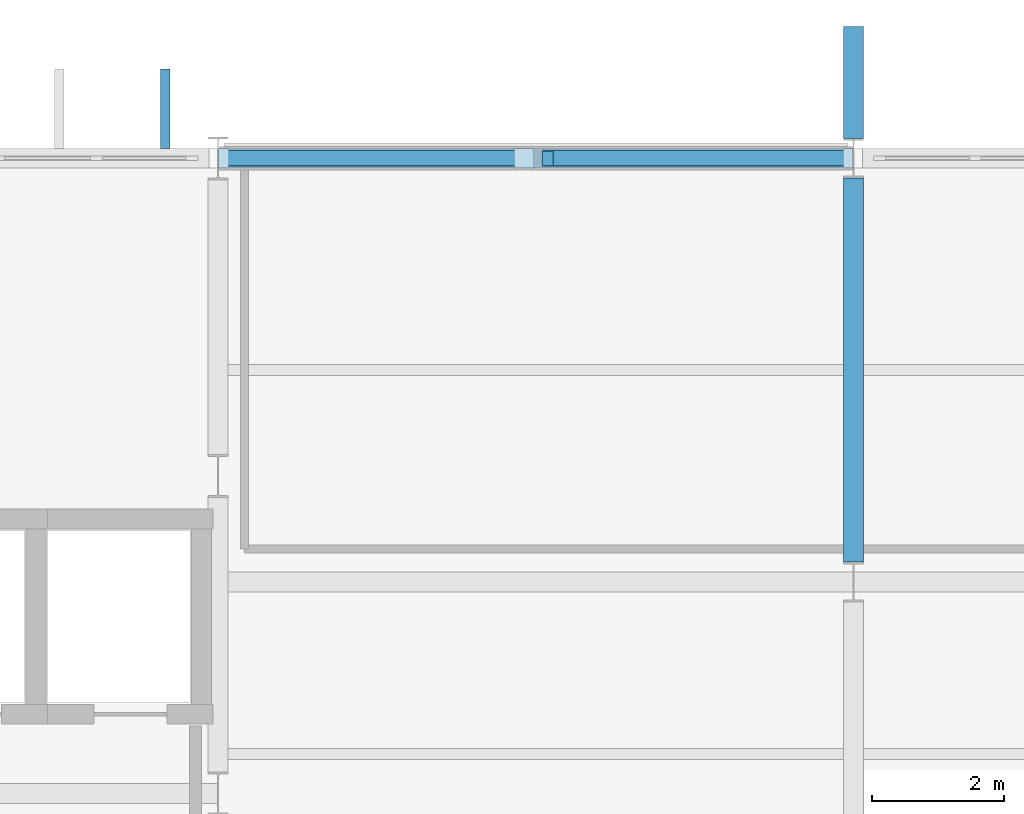
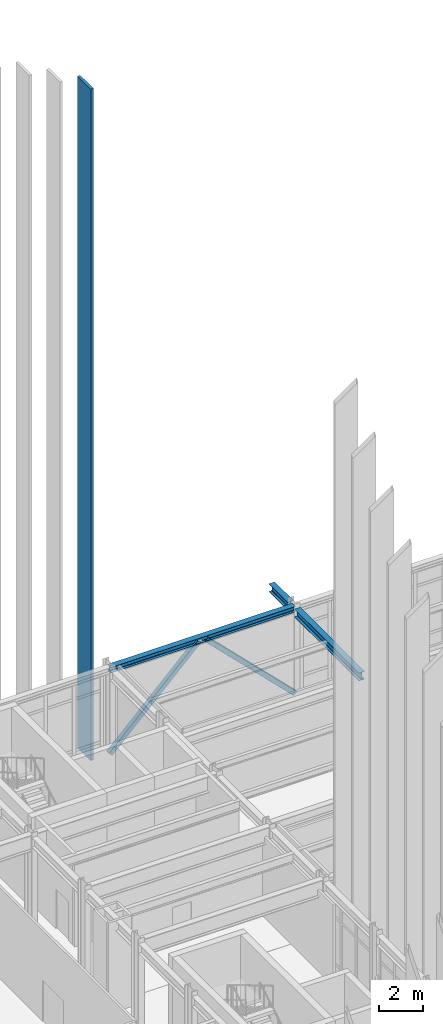
# One storey, part 56 of 109: 3 beams, 3 members.
"""IFC4 building model written with IfcOpenShell, lengths in metres."""

from ifc_helpers import new_model, si_unit, direction, frame, origin, origin_2d, place, context, subcontext, project, spatial, rectangle, hollow_rectangle, i_section, extrude, material, material_profile, profile_set, type_object, element, save


model = new_model("IFC4")

# Units and contexts
model_context = context("Model", 3, precision=1e-05, world=origin(), true_north=direction((0.0, 1.0)))
body_context = subcontext(model_context, "Body", "Model", "MODEL_VIEW")
ifc_project = project(units=[si_unit("LENGTHUNIT", "METRE"), si_unit("AREAUNIT", "SQUARE_METRE"), si_unit("VOLUMEUNIT", "CUBIC_METRE"), si_unit("PLANEANGLEUNIT", "RADIAN"), si_unit("MASSUNIT", "GRAM", prefix="KILO")], contexts=[model_context])

# Site, building, storey
site_placement = place(None, origin())
site = spatial("IfcSite", under=ifc_project, at=site_placement, CompositionType="ELEMENT")
building_placement = place(site_placement, origin())
building = spatial("IfcBuilding", under=site, at=building_placement, Name="Nordkorset Police Headquarters", CompositionType="ELEMENT")
storey_placement = place(building_placement, origin())
storey = spatial("IfcBuildingStorey", under=building, at=storey_placement, Name="L00", CompositionType="ELEMENT", Elevation=0.0)

# Members
ifc_material_1 = material(Name="Steel S355J2", Category="steel")
ifc_material_profile_1 = material_profile(ifc_material_1, hollow_rectangle(XDim=0.25, YDim=0.25, WallThickness=0.012451171875, InnerFilletRadius=0.012451171875, OuterFilletRadius=0.02490234375, at=origin_2d()), Name="SHS 250x250x12.5")
ifc_profile_set_1 = profile_set([ifc_material_profile_1], Name="Steel S355J2")
member_type_1 = type_object("IfcMemberType", Name="Brace_SHS_250x250x12.5", PredefinedType="BRACE", material=ifc_profile_set_1)
member_1_placement = place(storey_placement, frame((28.80810546875, 116.800048828125, 0.199951171875), z_axis=(0.709544088891, 0.0, 0.704661043282), x_axis=(0.0, 1.0, 0.0)))
element("IfcMember", 1, at=member_1_placement, inside=storey, type_object=member_type_1, Name="Lateral Chevron Brace BF-EXT-V2N0 L00 D1", PredefinedType="BRACE", context=body_context, shape_type="SweptSolid", body=[
    extrude(hollow_rectangle(XDim=0.25, YDim=0.25, WallThickness=0.012451171875, InnerFilletRadius=0.012451171875, OuterFilletRadius=0.02490234375, at=origin_2d()), origin(), (0.0, 0.0, 1.0), 6.499755859375),
])
member_2_placement = place(storey_placement, frame((38.392333984375, 116.800048828125, 0.199951171875), z_axis=(-0.70958138841, 0.0, 0.704623483303), x_axis=(0.0, -1.0, 0.0)))
element("IfcMember", 2, at=member_2_placement, inside=storey, type_object=member_type_1, Name="Lateral Chevron Brace BF-EXT-V2N0 L00 D2", PredefinedType="BRACE", context=body_context, shape_type="SweptSolid", body=[
    extrude(hollow_rectangle(XDim=0.25, YDim=0.25, WallThickness=0.012451171875, InnerFilletRadius=0.012451171875, OuterFilletRadius=0.02490234375, at=origin_2d()), origin(), (0.0, 0.0, 1.0), 6.5),
])

# Beams
ifc_material_2 = material(Name="Steel S355J2", Category="steel")
ifc_material_profile_2 = material_profile(ifc_material_2, i_section(OverallWidth=0.300048828125, OverallDepth=0.43994140625, WebThickness=0.011474609375, FlangeThickness=0.02099609375, FilletRadius=0.027099609375, at=origin_2d()), Name="HEA 450")
ifc_profile_set_2 = profile_set([ifc_material_profile_2], Name="Steel S355J2")
beam_type_1 = type_object("IfcBeamType", Name="Girder_HEA_450", PredefinedType="USERDEFINED", material=ifc_profile_set_2)
beam_1_placement = place(storey_placement, frame((38.39990234375, 110.699951171875, 4.780029296875), z_axis=(0.0, 1.0, 0.0), x_axis=(-1.0, 0.0, 0.0)))
element("IfcBeam", 3, at=beam_1_placement, inside=storey, type_object=beam_type_1, Name="Girder V2 L00 GY-1-2", ObjectType="GIRDER", PredefinedType="USERDEFINED", context=body_context, shape_type="SweptSolid", body=[
    extrude(i_section(OverallWidth=0.300048828125, OverallDepth=0.43994140625, WebThickness=0.011474609375, FlangeThickness=0.02099609375, FilletRadius=0.027099609375, at=origin_2d()), origin(), (0.0, 0.0, 1.0), 5.800048828125),
])
beam_2_placement = place(storey_placement, frame((38.39990234375, 117.10009765625, 4.780029296875), z_axis=(0.0, 1.0, 0.0), x_axis=(-1.0, 0.0, 0.0)))
element("IfcBeam", 4, at=beam_2_placement, inside=storey, type_object=beam_type_1, Name="Sawtooth Facade Outrigger V2 L00 38", ObjectType="GIRDER", PredefinedType="USERDEFINED", context=body_context, shape_type="SweptSolid", body=[
    extrude(i_section(OverallWidth=0.300048828125, OverallDepth=0.43994140625, WebThickness=0.011474609375, FlangeThickness=0.02099609375, FilletRadius=0.027099609375, at=origin_2d()), origin(), (0.0, 0.0, 1.0), 1.68994140625),
])

# Member
ifc_material_3 = material(Name="Glulam GL30c", Category="wood")
ifc_material_profile_3 = material_profile(ifc_material_3, rectangle(XDim=0.139892578125, YDim=1.199951171875, at=origin_2d()), Name="GL30C FIN 140x1200")
ifc_profile_set_3 = profile_set([ifc_material_profile_3], Name="Glulam GL30c")
member_type_2 = type_object("IfcMemberType", Name="Member_GlulamFin_140x1200", PredefinedType="USERDEFINED", material=ifc_profile_set_3)
member_3_placement = place(storey_placement, frame((28.0, 117.550048828125, 0.0), z_axis=(0.0, 0.0, 1.0), x_axis=(1.0, 0.0, 0.0)))
element("IfcMember", 5, at=member_3_placement, inside=storey, type_object=member_type_2, Name="Vertical Glulam Gable Fin North 077", ObjectType="VERTICAL TIMBER FIN", PredefinedType="USERDEFINED", context=body_context, shape_type="SweptSolid", body=[
    extrude(rectangle(XDim=0.139892578125, YDim=1.199951171875, at=origin_2d()), origin(), (0.0, 0.0, 1.0), 36.884521484375),
])

# Beam
ifc_material_4 = material(Name="Steel S355J2", Category="steel")
ifc_material_profile_4 = material_profile(ifc_material_4, i_section(OverallWidth=0.300048828125, OverallDepth=0.31005859375, WebThickness=0.009033203125, FlangeThickness=0.015380859375, FilletRadius=0.027099609375, at=origin_2d()), Name="HEA 320")
ifc_profile_set_4 = profile_set([ifc_material_profile_4], Name="Steel S355J2")
beam_type_2 = type_object("IfcBeamType", Name="Spandrel_HEA_320", PredefinedType="SPANDREL", material=ifc_profile_set_4)
beam_3_placement = place(storey_placement, frame((28.80810546875, 116.800048828125, 4.844970703125), z_axis=(1.0, 0.0, 0.0), x_axis=(0.0, 1.0, 0.0)))
element("IfcBeam", 6, at=beam_3_placement, inside=storey, type_object=beam_type_2, Name="Girder V2 L00 GX-3-0", PredefinedType="SPANDREL", context=body_context, shape_type="SweptSolid", body=[
    extrude(i_section(OverallWidth=0.300048828125, OverallDepth=0.31005859375, WebThickness=0.009033203125, FlangeThickness=0.015380859375, FilletRadius=0.027099609375, at=origin_2d()), origin(), (0.0, 0.0, 1.0), 9.584228515625),
])

save(model, "model.ifc")
